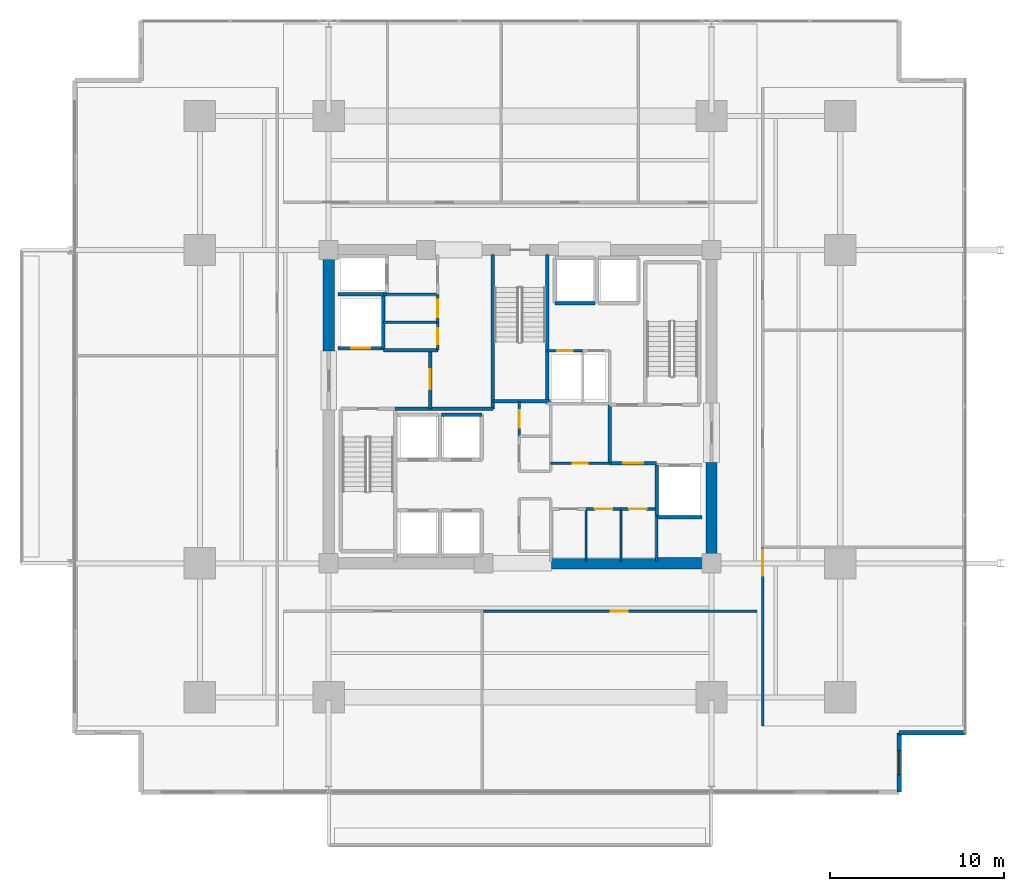
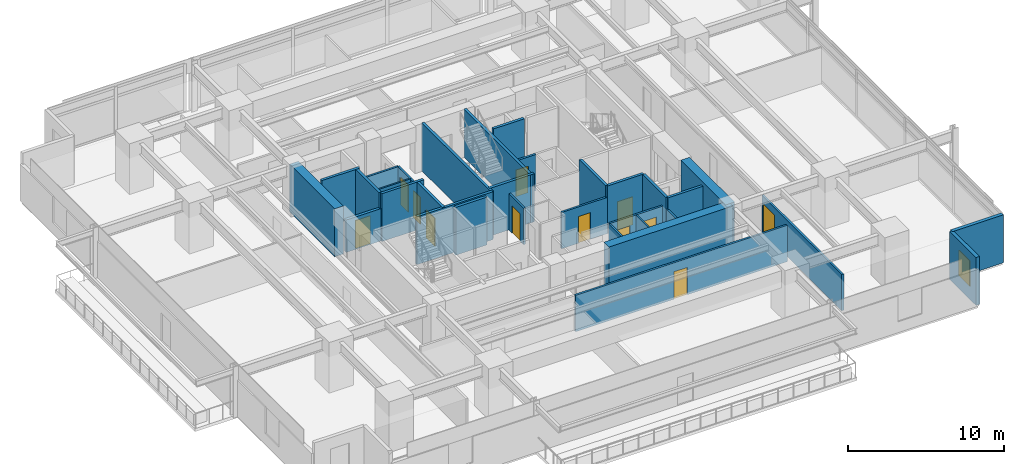
# One storey, part 15 of 22: 34 walls, 12 doors, 1 window, 13 openings.
"""IFC4 building model written with IfcOpenShell, lengths in metres."""

from ifc_helpers import new_model, si_unit, direction, frame, frame_2d, origin, place, context, subcontext, project, spatial, rectangle, extrude, material, layer, layer_set, type_object, element, fill, save


model = new_model("IFC4")

# Units and contexts
model_context = context("Model", 3, precision=1e-05, world=origin(), true_north=direction((0.0, 1.0)))
body_context = subcontext(model_context, "Body", "Model", "MODEL_VIEW")
ifc_project = project(units=[si_unit("LENGTHUNIT", "METRE"), si_unit("AREAUNIT", "SQUARE_METRE"), si_unit("VOLUMEUNIT", "CUBIC_METRE"), si_unit("PLANEANGLEUNIT", "RADIAN"), si_unit("MASSUNIT", "GRAM", prefix="KILO")], contexts=[model_context])

# Site, building, storey
site_placement = place(None, origin())
site = spatial("IfcSite", under=ifc_project, at=site_placement, CompositionType="ELEMENT")
building_placement = place(site_placement, origin())
building = spatial("IfcBuilding", under=site, at=building_placement, Name="Kovane Verandah Tower", CompositionType="ELEMENT")
storey_placement = place(building_placement, frame((0.0, 0.0, 51.60009765625)))
storey = spatial("IfcBuildingStorey", under=building, at=storey_placement, Name="L11", CompositionType="ELEMENT", Elevation=51.60009765625)

# Wall, opening, door
ifc_material_1 = material(Name="Fire-Rated Gypsum Stud Partition", Category="gypsum")
ifc_layer_1 = layer(ifc_material_1, 0.14990234375)
ifc_layer_set_1 = layer_set([ifc_layer_1], Name="Fire-Rated Gypsum Stud Partition")
wall_type_1 = type_object("IfcWallType", Name="WL-COR-150", PredefinedType="PARTITIONING", material=ifc_layer_set_1)
wall_1_placement = place(storey_placement, frame((39.949951171875, 25.800048828125, 0.0), z_axis=(0.0, 0.0, 1.0), x_axis=(0.0, 1.0, 0.0)))
wall_1 = element("IfcWall", 1, at=wall_1_placement, inside=storey, type_object=wall_type_1, Name="L11 Central First Aid and Wellness Room Partition", PredefinedType="PARTITIONING", context=body_context, shape_type="SweptSolid", body=[
    extrude(rectangle(XDim=2.0, YDim=0.14990234375, at=frame_2d((1.0, 0.0))), origin(), (0.0, 0.0, 1.0), 2.849853515625),
])
opening_1_placement = place(wall_1_placement, frame((0.5, 0.0, 0.0)))
opening_1 = element("IfcOpeningElement", 2, at=opening_1_placement, cuts=wall_1, Name="Opening DR-L11-028", PredefinedType="OPENING", context=body_context, shape_type="SweptSolid", body=[
    extrude(rectangle(XDim=1.0, YDim=2.14990234375, at=frame_2d((0.5, 1.074951171875))), frame((0.0, 0.074951171875, 0.0), z_axis=(0.0, -1.0, 0.0), x_axis=(1.0, 0.0, 0.0)), (0.0, 0.0, 1.0), 0.14990234375),
])
ifc_material_2 = material(Name="FSC Spotted-Gum Timber Fire-Rated Office Door", Category="wood")
door_type_1 = type_object("IfcDoorType", Name="DR-OFF-1000", OperationType="SINGLE_SWING_LEFT", PredefinedType="DOOR", material=ifc_material_2)
door_1_placement = place(opening_1_placement, origin())
door_1 = element("IfcDoor", 3, at=door_1_placement, inside=storey, type_object=door_type_1, Name="L11 Central First Aid and Wellness Room Door", OperationType="SINGLE_SWING_LEFT", OverallHeight=2.14990234375, OverallWidth=1.0, PredefinedType="DOOR", context=body_context, shape_type="SweptSolid", body=[
    extrude(rectangle(XDim=1.0, YDim=2.14990234375, at=frame_2d((0.5, 1.074951171875))), frame((0.0, 0.02490234375, 0.0), z_axis=(0.0, -1.0, 0.0), x_axis=(1.0, 0.0, 0.0)), (0.0, 0.0, 1.0), 0.050048828125),
])
fill(opening_1, door_1)

# Wall
wall_2_placement = place(storey_placement, frame((32.14990234375, 33.949951171875, 0.0), z_axis=(0.0, 0.0, 1.0), x_axis=(1.0, 0.0, 0.0)))
element("IfcWall", 4, at=wall_2_placement, inside=storey, type_object=wall_type_1, Name="L11 Goods Lift Lobby South Wall", PredefinedType="PARTITIONING", context=body_context, shape_type="SweptSolid", body=[
    extrude(rectangle(XDim=3.130126953125, YDim=0.14990234375, at=frame_2d((1.56494140625, 0.0))), origin(), (0.0, 0.0, 1.0), 2.849853515625),
])

# Wall, opening, door
wall_3_placement = place(storey_placement, frame((35.280029296875, 30.75, 0.0), z_axis=(0.0, 0.0, 1.0), x_axis=(0.0, 1.0, 0.0)))
wall_3 = element("IfcWall", 5, at=wall_3_placement, inside=storey, type_object=wall_type_1, Name="L11 Accessible Unisex Toilet Partition", PredefinedType="PARTITIONING", context=body_context, shape_type="SweptSolid", body=[
    extrude(rectangle(XDim=1.60009765625, YDim=0.14990234375, at=frame_2d((0.800048828125, 0.0))), origin(), (0.0, 0.0, 1.0), 2.849853515625),
])
opening_2_placement = place(wall_3_placement, frame((0.35009765625, 0.0, 0.0)))
opening_2 = element("IfcOpeningElement", 6, at=opening_2_placement, cuts=wall_3, Name="Opening DR-L11-029", PredefinedType="OPENING", context=body_context, shape_type="SweptSolid", body=[
    extrude(rectangle(XDim=0.89990234375, YDim=2.10009765625, at=frame_2d((0.449951171875, 1.050048828125))), frame((0.0, 0.074951171875, 0.0), z_axis=(0.0, -1.0, 0.0), x_axis=(1.0, 0.0, 0.0)), (0.0, 0.0, 1.0), 0.14990234375),
])
ifc_material_3 = material(Name="Moisture-Resistant Laminate Washroom Door", Category="wood")
door_type_2 = type_object("IfcDoorType", Name="DR-WC-900", OperationType="SINGLE_SWING_LEFT", PredefinedType="DOOR", material=ifc_material_3)
door_2_placement = place(opening_2_placement, origin())
door_2 = element("IfcDoor", 7, at=door_2_placement, inside=storey, type_object=door_type_2, Name="L11 Accessible Unisex Toilet Door", OperationType="SINGLE_SWING_LEFT", OverallHeight=2.10009765625, OverallWidth=0.89990234375, PredefinedType="DOOR", context=body_context, shape_type="SweptSolid", body=[
    extrude(rectangle(XDim=0.89990234375, YDim=2.10009765625, at=frame_2d((0.449951171875, 1.050048828125))), frame((0.0, 0.02490234375, 0.0), z_axis=(0.0, -1.0, 0.0), x_axis=(1.0, 0.0, 0.0)), (0.0, 0.0, 1.0), 0.050048828125),
])
fill(opening_2, door_2)

wall_4_placement = place(storey_placement, frame((35.280029296875, 32.35009765625, 0.0), z_axis=(0.0, 0.0, 1.0), x_axis=(0.0, 1.0, 0.0)))
wall_4 = element("IfcWall", 8, at=wall_4_placement, inside=storey, type_object=wall_type_1, Name="L11 North-West First Aid Room Partition", PredefinedType="PARTITIONING", context=body_context, shape_type="SweptSolid", body=[
    extrude(rectangle(XDim=1.599853515625, YDim=0.14990234375, at=frame_2d((0.7998046875, 0.0))), origin(), (0.0, 0.0, 1.0), 2.849853515625),
])
opening_3_placement = place(wall_4_placement, frame((0.300048828125, 0.0, 0.0)))
opening_3 = element("IfcOpeningElement", 9, at=opening_3_placement, cuts=wall_4, Name="Opening DR-L11-012", PredefinedType="OPENING", context=body_context, shape_type="SweptSolid", body=[
    extrude(rectangle(XDim=1.0, YDim=2.14990234375, at=frame_2d((0.5, 1.074951171875))), frame((0.0, 0.074951171875, 0.0), z_axis=(0.0, -1.0, 0.0), x_axis=(1.0, 0.0, 0.0)), (0.0, 0.0, 1.0), 0.14990234375),
])
door_3_placement = place(opening_3_placement, origin())
door_3 = element("IfcDoor", 10, at=door_3_placement, inside=storey, type_object=door_type_1, Name="L11 North-West First Aid Room Door", OperationType="SINGLE_SWING_RIGHT", OverallHeight=2.14990234375, OverallWidth=1.0, PredefinedType="DOOR", context=body_context, shape_type="SweptSolid", body=[
    extrude(rectangle(XDim=1.0, YDim=2.14990234375, at=frame_2d((0.5, 1.074951171875))), frame((0.0, 0.02490234375, 0.0), z_axis=(0.0, -1.0, 0.0), x_axis=(1.0, 0.0, 0.0)), (0.0, 0.0, 1.0), 0.050048828125),
])
fill(opening_3, door_3)

# Wall
wall_5_placement = place(storey_placement, frame((47.85009765625, 18.60009765625, 0.0), z_axis=(0.0, 0.0, 1.0), x_axis=(0.0, 1.0, 0.0)))
element("IfcWall", 11, at=wall_5_placement, inside=storey, type_object=wall_type_1, Name="L11 East Core Support East Wall", PredefinedType="PARTITIONING", context=body_context, shape_type="SweptSolid", body=[
    extrude(rectangle(XDim=2.539794921875, YDim=0.14990234375, at=frame_2d((1.27001953125, 0.0))), origin(), (0.0, 0.0, 1.0), 2.849853515625),
])

# Wall, opening, door
wall_6_placement = place(storey_placement, frame((43.800048828125, 21.6201171875, 0.0), z_axis=(0.0, 0.0, 1.0), x_axis=(1.0, 0.0, 0.0)))
wall_6 = element("IfcWall", 12, at=wall_6_placement, inside=storey, type_object=wall_type_1, Name="L11 First Aid Room Partition", PredefinedType="PARTITIONING", context=body_context, shape_type="SweptSolid", body=[
    extrude(rectangle(XDim=2.0, YDim=0.14990234375, at=frame_2d((1.0, 0.0))), origin(), (0.0, 0.0, 1.0), 2.849853515625),
])
opening_4_placement = place(wall_6_placement, frame((0.5, 0.0, 0.0)))
opening_4 = element("IfcOpeningElement", 13, at=opening_4_placement, cuts=wall_6, Name="Opening DR-L11-017", PredefinedType="OPENING", context=body_context, shape_type="SweptSolid", body=[
    extrude(rectangle(XDim=1.0, YDim=2.14990234375, at=frame_2d((0.5, 1.074951171875))), frame((0.0, 0.074951171875, 0.0), z_axis=(0.0, -1.0, 0.0), x_axis=(1.0, 0.0, 0.0)), (0.0, 0.0, 1.0), 0.14990234375),
])
door_4_placement = place(opening_4_placement, origin())
door_4 = element("IfcDoor", 14, at=door_4_placement, inside=storey, type_object=door_type_1, Name="L11 First Aid Room Door", OperationType="SINGLE_SWING_RIGHT", OverallHeight=2.14990234375, OverallWidth=1.0, PredefinedType="DOOR", context=body_context, shape_type="SweptSolid", body=[
    extrude(rectangle(XDim=1.0, YDim=2.14990234375, at=frame_2d((0.5, 1.074951171875))), frame((0.0, 0.02490234375, 0.0), z_axis=(0.0, -1.0, 0.0), x_axis=(1.0, 0.0, 0.0)), (0.0, 0.0, 1.0), 0.050048828125),
])
fill(opening_4, door_4)

wall_7_placement = place(storey_placement, frame((45.800048828125, 21.6201171875, 0.0), z_axis=(0.0, 0.0, 1.0), x_axis=(1.0, 0.0, 0.0)))
wall_7 = element("IfcWall", 15, at=wall_7_placement, inside=storey, type_object=wall_type_1, Name="L11 Quiet Wellness Room Partition", PredefinedType="PARTITIONING", context=body_context, shape_type="SweptSolid", body=[
    extrude(rectangle(XDim=1.93994140625, YDim=0.14990234375, at=frame_2d((0.969970703125, 0.0))), origin(), (0.0, 0.0, 1.0), 2.849853515625),
])
opening_5_placement = place(wall_7_placement, frame((0.469970703125, 0.0, 0.0)))
opening_5 = element("IfcOpeningElement", 16, at=opening_5_placement, cuts=wall_7, Name="Opening DR-L11-018", PredefinedType="OPENING", context=body_context, shape_type="SweptSolid", body=[
    extrude(rectangle(XDim=1.0, YDim=2.14990234375, at=frame_2d((0.5, 1.074951171875))), frame((0.0, 0.074951171875, 0.0), z_axis=(0.0, -1.0, 0.0), x_axis=(1.0, 0.0, 0.0)), (0.0, 0.0, 1.0), 0.14990234375),
])
door_5_placement = place(opening_5_placement, origin())
door_5 = element("IfcDoor", 17, at=door_5_placement, inside=storey, type_object=door_type_1, Name="L11 Quiet Wellness Room Door", OperationType="SINGLE_SWING_LEFT", OverallHeight=2.14990234375, OverallWidth=1.0, PredefinedType="DOOR", context=body_context, shape_type="SweptSolid", body=[
    extrude(rectangle(XDim=1.0, YDim=2.14990234375, at=frame_2d((0.5, 1.074951171875))), frame((0.0, 0.02490234375, 0.0), z_axis=(0.0, -1.0, 0.0), x_axis=(1.0, 0.0, 0.0)), (0.0, 0.0, 1.0), 0.050048828125),
])
fill(opening_5, door_5)

wall_8_placement = place(storey_placement, frame((41.760009765625, 24.25, 0.0), z_axis=(0.0, 0.0, 1.0), x_axis=(1.0, 0.0, 0.0)))
wall_8 = element("IfcWall", 18, at=wall_8_placement, inside=storey, type_object=wall_type_1, Name="L11 Supply Store Partition", PredefinedType="PARTITIONING", context=body_context, shape_type="SweptSolid", body=[
    extrude(rectangle(XDim=3.389892578125, YDim=0.14990234375, at=frame_2d((1.69482421875, 0.0))), origin(), (0.0, 0.0, 1.0), 2.849853515625),
])
opening_6_placement = place(wall_8_placement, frame((1.2548828125, 0.0, 0.0)))
opening_6 = element("IfcOpeningElement", 19, at=opening_6_placement, cuts=wall_8, Name="Opening DR-L11-019", PredefinedType="OPENING", context=body_context, shape_type="SweptSolid", body=[
    extrude(rectangle(XDim=0.8798828125, YDim=2.10009765625, at=frame_2d((0.43994140625, 1.050048828125))), frame((0.0, 0.074951171875, 0.0), z_axis=(0.0, -1.0, 0.0), x_axis=(1.0, 0.0, 0.0)), (0.0, 0.0, 1.0), 0.14990234375),
])
ifc_material_4 = material(Name="Fire-Rated Steel Riser Access Door", Category="steel")
door_type_3 = type_object("IfcDoorType", Name="DR-RISER-880", OperationType="SINGLE_SWING_LEFT", PredefinedType="DOOR", material=ifc_material_4)
door_6_placement = place(opening_6_placement, origin())
door_6 = element("IfcDoor", 20, at=door_6_placement, inside=storey, type_object=door_type_3, Name="L11 Supply Store Door", OperationType="SINGLE_SWING_RIGHT", OverallHeight=2.10009765625, OverallWidth=0.8798828125, PredefinedType="DOOR", context=body_context, shape_type="SweptSolid", body=[
    extrude(rectangle(XDim=0.8798828125, YDim=2.10009765625, at=frame_2d((0.43994140625, 1.050048828125))), frame((0.0, 0.02490234375, 0.0), z_axis=(0.0, -1.0, 0.0), x_axis=(1.0, 0.0, 0.0)), (0.0, 0.0, 1.0), 0.050048828125),
])
fill(opening_6, door_6)

wall_9_placement = place(storey_placement, frame((41.56005859375, 30.719970703125, 0.0), z_axis=(0.0, 0.0, 1.0), x_axis=(1.0, 0.0, 0.0)))
wall_9 = element("IfcWall", 21, at=wall_9_placement, inside=storey, type_object=wall_type_1, Name="L11 Electrical Sub-Main Riser Room Partition", PredefinedType="PARTITIONING", context=body_context, shape_type="SweptSolid", body=[
    extrude(rectangle(XDim=2.0400390625, YDim=0.14990234375, at=frame_2d((1.02001953125, 0.0))), origin(), (0.0, 0.0, 1.0), 2.849853515625),
])
opening_7_placement = place(wall_9_placement, frame((0.580078125, 0.0, 0.0)))
opening_7 = element("IfcOpeningElement", 22, at=opening_7_placement, cuts=wall_9, Name="Opening DR-L11-020", PredefinedType="OPENING", context=body_context, shape_type="SweptSolid", body=[
    extrude(rectangle(XDim=0.8798828125, YDim=2.10009765625, at=frame_2d((0.43994140625, 1.050048828125))), frame((0.0, 0.074951171875, 0.0), z_axis=(0.0, -1.0, 0.0), x_axis=(1.0, 0.0, 0.0)), (0.0, 0.0, 1.0), 0.14990234375),
])
door_7_placement = place(opening_7_placement, origin())
door_7 = element("IfcDoor", 23, at=door_7_placement, inside=storey, type_object=door_type_3, Name="L11 Electrical Sub-Main Riser Room Door", OperationType="SINGLE_SWING_LEFT", OverallHeight=2.10009765625, OverallWidth=0.8798828125, PredefinedType="DOOR", context=body_context, shape_type="SweptSolid", body=[
    extrude(rectangle(XDim=0.8798828125, YDim=2.10009765625, at=frame_2d((0.43994140625, 1.050048828125))), frame((0.0, 0.02490234375, 0.0), z_axis=(0.0, -1.0, 0.0), x_axis=(1.0, 0.0, 0.0)), (0.0, 0.0, 1.0), 0.050048828125),
])
fill(opening_7, door_7)

wall_10_placement = place(storey_placement, frame((37.89404296875, 15.75, 0.0), z_axis=(0.0, 0.0, 1.0), x_axis=(1.0, 0.0, 0.0)))
wall_10 = element("IfcWall", 24, at=wall_10_placement, inside=storey, type_object=wall_type_1, Name="L11 Document and Print Room S2 Corridor Partition", PredefinedType="PARTITIONING", context=body_context, shape_type="SweptSolid", body=[
    extrude(rectangle(XDim=15.7060546875, YDim=0.14990234375, at=frame_2d((7.85302734375, 0.0))), origin(), (0.0, 0.0, 1.0), 2.849853515625),
])
opening_8_placement = place(wall_10_placement, frame((7.302978515625, 0.0, 0.0)))
opening_8 = element("IfcOpeningElement", 25, at=opening_8_placement, cuts=wall_10, Name="Opening DR-L11-027", PredefinedType="OPENING", context=body_context, shape_type="SweptSolid", body=[
    extrude(rectangle(XDim=1.0, YDim=2.14990234375, at=frame_2d((0.5, 1.074951171875))), frame((0.0, 0.074951171875, 0.0), z_axis=(0.0, -1.0, 0.0), x_axis=(1.0, 0.0, 0.0)), (0.0, 0.0, 1.0), 0.14990234375),
])
door_8_placement = place(opening_8_placement, origin())
door_8 = element("IfcDoor", 26, at=door_8_placement, inside=storey, type_object=door_type_1, Name="L11 Document and Print Room S2 Entrance Door", OperationType="SINGLE_SWING_RIGHT", OverallHeight=2.14990234375, OverallWidth=1.0, PredefinedType="DOOR", context=body_context, shape_type="SweptSolid", body=[
    extrude(rectangle(XDim=1.0, YDim=2.14990234375, at=frame_2d((0.5, 1.074951171875))), frame((0.0, 0.02490234375, 0.0), z_axis=(0.0, -1.0, 0.0), x_axis=(1.0, 0.0, 0.0)), (0.0, 0.0, 1.0), 0.050048828125),
])
fill(opening_8, door_8)

wall_11_placement = place(storey_placement, frame((53.949951171875, 9.15380859375, 0.0), z_axis=(0.0, 0.0, 1.0), x_axis=(0.0, 1.0, 0.0)))
wall_11 = element("IfcWall", 27, at=wall_11_placement, inside=storey, type_object=wall_type_1, Name="L11 Client Boardroom E1 Corridor Partition", PredefinedType="PARTITIONING", context=body_context, shape_type="SweptSolid", body=[
    extrude(rectangle(XDim=10.27392578125, YDim=0.14990234375, at=frame_2d((5.136962890625, 0.0))), origin(), (0.0, 0.0, 1.0), 2.849853515625),
])
opening_9_placement = place(wall_11_placement, frame((8.6337890625, 0.0, 0.0)))
opening_9 = element("IfcOpeningElement", 28, at=opening_9_placement, cuts=wall_11, Name="Opening DR-L11-013", PredefinedType="OPENING", context=body_context, shape_type="SweptSolid", body=[
    extrude(rectangle(XDim=1.5, YDim=2.25, at=frame_2d((0.75, 1.125))), frame((0.0, 0.074951171875, 0.0), z_axis=(0.0, -1.0, 0.0), x_axis=(1.0, 0.0, 0.0)), (0.0, 0.0, 1.0), 0.14990234375),
])
ifc_material_5 = material(Name="Glazed Timber Fire-Rated Double Door", Category="wood")
door_type_4 = type_object("IfcDoorType", Name="DR-CONF-1500", OperationType="DOUBLE_DOOR_SINGLE_SWING", PredefinedType="DOOR", material=ifc_material_5)
door_9_placement = place(opening_9_placement, origin())
door_9 = element("IfcDoor", 29, at=door_9_placement, inside=storey, type_object=door_type_4, Name="L11 Client Boardroom E1 Entrance Door", OperationType="DOUBLE_DOOR_SINGLE_SWING", OverallHeight=2.25, OverallWidth=1.5, PredefinedType="DOOR", context=body_context, shape_type="SweptSolid", body=[
    extrude(rectangle(XDim=1.5, YDim=2.25, at=frame_2d((0.75, 1.125))), frame((0.0, 0.02490234375, 0.0), z_axis=(0.0, -1.0, 0.0), x_axis=(1.0, 0.0, 0.0)), (0.0, 0.0, 1.0), 0.050048828125),
])
fill(opening_9, door_9)

# Walls
ifc_material_6 = material(Name="Concrete C80/95", Category="concrete")
ifc_layer_2 = layer(ifc_material_6, 0.64990234375)
ifc_layer_set_2 = layer_set([ifc_layer_2], Name="Concrete C80/95")
wall_type_2 = type_object("IfcWallType", Name="WL-CORE-650", PredefinedType="SHEAR", material=ifc_layer_set_2)
wall_12_placement = place(storey_placement, frame((41.800048828125, 18.5, 0.0), z_axis=(0.0, 0.0, 1.0), x_axis=(1.0, 0.0, 0.0)))
element("IfcWall", 30, at=wall_12_placement, inside=storey, type_object=wall_type_2, Name="L11 Core Shear Wall CS-2", PredefinedType="SHEAR", context=body_context, shape_type="SweptSolid", body=[
    extrude(rectangle(XDim=9.199951171875, YDim=0.64990234375, at=frame_2d((4.60009765625, 0.0))), origin(), (0.0, 0.0, 1.0), 3.760009765625),
])
for number, where, z_axis, x_axis, name in (
    (31, (29.0, 30.699951171875, 0.0), (0.0, 0.0, 1.0), (0.0, 1.0, 0.0), "L11 Core Shear Wall CW-2"),
    (32, (51.0, 18.5, 0.0), (0.0, 0.0, 1.0), (0.0, 1.0, 0.0), "L11 Core Shear Wall CE-1"),
):
    element("IfcWall", number, at=place(storey_placement, frame(where, z_axis=z_axis, x_axis=x_axis)), inside=storey, type_object=wall_type_2, Name=name, PredefinedType="SHEAR", context=body_context, shape_type="SweptSolid", body=[
        extrude(rectangle(XDim=5.800048828125, YDim=0.64990234375, at=frame_2d((2.89990234375, 0.0))), origin(), (0.0, 0.0, 1.0), 3.760009765625),
    ])

# Wall, opening, door
ifc_material_7 = material(Name="Concrete C45/55 Fire Wall", Category="concrete")
ifc_layer_3 = layer(ifc_material_7, 0.199951171875)
ifc_layer_set_3 = layer_set([ifc_layer_3], Name="Concrete C45/55 Fire Wall")
wall_type_3 = type_object("IfcWallType", Name="WL-FFL-200", PredefinedType="PARTITIONING", material=ifc_layer_set_3)
wall_13_placement = place(storey_placement, frame((34.85009765625, 27.3798828125, 0.0), z_axis=(0.0, 0.0, 1.0), x_axis=(0.0, 1.0, 0.0)))
wall_13 = element("IfcWall", 33, at=wall_13_placement, inside=storey, type_object=wall_type_3, Name="W-L11-FFLW-E", PredefinedType="PARTITIONING", context=body_context, shape_type="SweptSolid", body=[
    extrude(rectangle(XDim=3.3701171875, YDim=0.199951171875, at=frame_2d((1.68505859375, 0.0))), origin(), (0.0, 0.0, 1.0), 3.760009765625),
])
opening_10_placement = place(wall_13_placement, frame((1.110107421875, 0.0, 0.0)))
opening_10 = element("IfcOpeningElement", 34, at=opening_10_placement, cuts=wall_13, Name="Opening DR-L11-006", PredefinedType="OPENING", context=body_context, shape_type="SweptSolid", body=[
    extrude(rectangle(XDim=1.14990234375, YDim=2.199951171875, at=frame_2d((0.574951171875, 1.10009765625))), frame((0.0, 0.10009765625, 0.0), z_axis=(0.0, -1.0, 0.0), x_axis=(1.0, 0.0, 0.0)), (0.0, 0.0, 1.0), 0.199951171875),
])
ifc_material_8 = material(Name="Smoke-Sealed Firefighting Lobby Door", Category="steel")
door_type_5 = type_object("IfcDoorType", Name="DR-FFL-1150", OperationType="SINGLE_SWING_LEFT", PredefinedType="DOOR", material=ifc_material_8)
door_10_placement = place(opening_10_placement, origin())
door_10 = element("IfcDoor", 35, at=door_10_placement, inside=storey, type_object=door_type_5, Name="L11 West Firefighting Lobby Inner Door", OperationType="SINGLE_SWING_LEFT", OverallHeight=2.199951171875, OverallWidth=1.14990234375, PredefinedType="DOOR", context=body_context, shape_type="SweptSolid", body=[
    extrude(rectangle(XDim=1.14990234375, YDim=2.199951171875, at=frame_2d((0.574951171875, 1.10009765625))), frame((0.0, 0.02490234375, 0.0), z_axis=(0.0, -1.0, 0.0), x_axis=(1.0, 0.0, 0.0)), (0.0, 0.0, 1.0), 0.050048828125),
])
fill(opening_10, door_10)

# Walls
wall_14_placement = place(storey_placement, frame((32.820068359375, 27.3798828125, 0.0), z_axis=(0.0, 0.0, 1.0), x_axis=(1.0, 0.0, 0.0)))
element("IfcWall", 36, at=wall_14_placement, inside=storey, type_object=wall_type_3, Name="L11 West Firefighting Lobby South Fire Wall", PredefinedType="PARTITIONING", context=body_context, shape_type="SweptSolid", body=[
    extrude(rectangle(XDim=5.619873046875, YDim=0.199951171875, at=frame_2d((2.81005859375, 0.0))), origin(), (0.0, 0.0, 1.0), 3.760009765625),
])
wall_15_placement = place(storey_placement, frame((32.14990234375, 30.75, 0.0), z_axis=(0.0, 0.0, 1.0), x_axis=(1.0, 0.0, 0.0)))
element("IfcWall", 37, at=wall_15_placement, inside=storey, type_object=wall_type_3, Name="L11 West Firefighting Lobby North Fire Wall", PredefinedType="PARTITIONING", context=body_context, shape_type="SweptSolid", body=[
    extrude(rectangle(XDim=3.130126953125, YDim=0.199951171875, at=frame_2d((1.56494140625, 0.0))), origin(), (0.0, 0.0, 1.0), 3.760009765625),
])
wall_16_placement = place(storey_placement, frame((45.14990234375, 24.25, 0.0), z_axis=(0.0, 0.0, 1.0), x_axis=(0.0, 1.0, 0.0)))
element("IfcWall", 38, at=wall_16_placement, inside=storey, type_object=wall_type_3, Name="L11 East Firefighting Lobby West Fire Wall", PredefinedType="PARTITIONING", context=body_context, shape_type="SweptSolid", body=[
    extrude(rectangle(XDim=3.3701171875, YDim=0.199951171875, at=frame_2d((1.68505859375, 0.0))), origin(), (0.0, 0.0, 1.0), 3.760009765625),
])

# Wall, opening, door
wall_17_placement = place(storey_placement, frame((45.14990234375, 24.25, 0.0), z_axis=(0.0, 0.0, 1.0), x_axis=(1.0, 0.0, 0.0)))
wall_17 = element("IfcWall", 39, at=wall_17_placement, inside=storey, type_object=wall_type_3, Name="W-L11-FFLE-S", PredefinedType="PARTITIONING", context=body_context, shape_type="SweptSolid", body=[
    extrude(rectangle(XDim=2.7001953125, YDim=0.199951171875, at=frame_2d((1.35009765625, 0.0))), origin(), (0.0, 0.0, 1.0), 3.760009765625),
])
opening_11_placement = place(wall_17_placement, frame((0.77490234375, 0.0, 0.0)))
opening_11 = element("IfcOpeningElement", 40, at=opening_11_placement, cuts=wall_17, Name="Opening DR-L11-003", PredefinedType="OPENING", context=body_context, shape_type="SweptSolid", body=[
    extrude(rectangle(XDim=1.14990234375, YDim=2.199951171875, at=frame_2d((0.574951171875, 1.10009765625))), frame((0.0, 0.10009765625, 0.0), z_axis=(0.0, -1.0, 0.0), x_axis=(1.0, 0.0, 0.0)), (0.0, 0.0, 1.0), 0.199951171875),
])
door_11_placement = place(opening_11_placement, origin())
door_11 = element("IfcDoor", 41, at=door_11_placement, inside=storey, type_object=door_type_5, Name="L11 East Firefighting Lobby Inner Door", OperationType="SINGLE_SWING_RIGHT", OverallHeight=2.199951171875, OverallWidth=1.14990234375, PredefinedType="DOOR", context=body_context, shape_type="SweptSolid", body=[
    extrude(rectangle(XDim=1.14990234375, YDim=2.199951171875, at=frame_2d((0.574951171875, 1.10009765625))), frame((0.0, 0.02490234375, 0.0), z_axis=(0.0, -1.0, 0.0), x_axis=(1.0, 0.0, 0.0)), (0.0, 0.0, 1.0), 0.050048828125),
])
fill(opening_11, door_11)

ifc_material_9 = material(Name="Concrete C45/55 Lift Shaft Wall", Category="concrete")
ifc_layer_4 = layer(ifc_material_9, 0.199951171875)
ifc_layer_set_4 = layer_set([ifc_layer_4], Name="Concrete C45/55 Lift Shaft Wall")
wall_type_4 = type_object("IfcWallType", Name="WL-LIFT-200", PredefinedType="SOLIDWALL", material=ifc_layer_set_4)
wall_18_placement = place(storey_placement, frame((29.550048828125, 30.85009765625, 0.0), z_axis=(0.0, 0.0, 1.0), x_axis=(1.0, 0.0, 0.0)))
wall_18 = element("IfcWall", 42, at=wall_18_placement, inside=storey, type_object=wall_type_4, Name="L11 Lift FL-01 S Shaft Wall", PredefinedType="SOLIDWALL", context=body_context, shape_type="SweptSolid", body=[
    extrude(rectangle(XDim=2.599853515625, YDim=0.199951171875, at=frame_2d((1.2998046875, 0.0))), origin(), (0.0, 0.0, 1.0), 2.539794921875),
])
opening_12_placement = place(wall_18_placement, frame((0.75, 0.0, 0.0)))
opening_12 = element("IfcOpeningElement", 43, at=opening_12_placement, cuts=wall_18, Name="Opening LD-L11-001", PredefinedType="OPENING", context=body_context, shape_type="SweptSolid", body=[
    extrude(rectangle(XDim=1.10009765625, YDim=2.199951171875, at=frame_2d((0.550048828125, 1.10009765625))), frame((0.0, 0.10009765625, 0.0), z_axis=(0.0, -1.0, 0.0), x_axis=(1.0, 0.0, 0.0)), (0.0, 0.0, 1.0), 0.199951171875),
])
ifc_material_10 = material(Name="Brushed Stainless Steel Sliding Lift Landing Door", Category="steel")
door_type_6 = type_object("IfcDoorType", Name="DR-LIFT-1100", OperationType="SLIDING_TO_RIGHT", PredefinedType="DOOR", material=ifc_material_10)
door_12_placement = place(opening_12_placement, origin())
door_12 = element("IfcDoor", 44, at=door_12_placement, inside=storey, type_object=door_type_6, Name="L11 Lift FL-01 Sliding Landing Door", OperationType="SLIDING_TO_RIGHT", OverallHeight=2.199951171875, OverallWidth=1.10009765625, PredefinedType="DOOR", context=body_context, shape_type="SweptSolid", body=[
    extrude(rectangle(XDim=1.10009765625, YDim=2.199951171875, at=frame_2d((0.550048828125, 1.10009765625))), frame((0.0, 0.02490234375, 0.0), z_axis=(0.0, -1.0, 0.0), x_axis=(1.0, 0.0, 0.0)), (0.0, 0.0, 1.0), 0.050048828125),
])
fill(opening_12, door_12)

# Walls
wall_19_placement = place(storey_placement, frame((29.550048828125, 33.949951171875, 0.0), z_axis=(0.0, 0.0, 1.0), x_axis=(1.0, 0.0, 0.0)))
element("IfcWall", 45, at=wall_19_placement, inside=storey, type_object=wall_type_4, Name="L11 Lift FL-01 and GL-01 Shared Shaft Wall", PredefinedType="SOLIDWALL", context=body_context, shape_type="SweptSolid", body=[
    extrude(rectangle(XDim=2.800048828125, YDim=0.199951171875, at=frame_2d((1.39990234375, 0.0))), origin(), (0.0, 0.0, 1.0), 3.760009765625),
])
wall_20_placement = place(storey_placement, frame((32.14990234375, 30.85009765625, 0.0), z_axis=(0.0, 0.0, 1.0), x_axis=(0.0, 1.0, 0.0)))
element("IfcWall", 46, at=wall_20_placement, inside=storey, type_object=wall_type_4, Name="L11 Lift FL-01 E Shaft Wall", PredefinedType="SOLIDWALL", context=body_context, shape_type="SweptSolid", body=[
    extrude(rectangle(XDim=3.0, YDim=0.199951171875, at=frame_2d((1.5, 0.0))), origin(), (0.0, 0.0, 1.0), 3.760009765625),
])
wall_21_placement = place(storey_placement, frame((47.85009765625, 21.14990234375, 0.0), z_axis=(0.0, 0.0, 1.0), x_axis=(1.0, 0.0, 0.0)))
element("IfcWall", 47, at=wall_21_placement, inside=storey, type_object=wall_type_4, Name="L11 Lift FL-02 S Shaft Wall", PredefinedType="SOLIDWALL", context=body_context, shape_type="SweptSolid", body=[
    extrude(rectangle(XDim=2.599853515625, YDim=0.199951171875, at=frame_2d((1.2998046875, 0.0))), origin(), (0.0, 0.0, 1.0), 3.760009765625),
])
wall_22_placement = place(storey_placement, frame((47.85009765625, 24.14990234375, 0.0), z_axis=(0.0, 0.0, 1.0), x_axis=(0.0, -1.0, 0.0)))
element("IfcWall", 48, at=wall_22_placement, inside=storey, type_object=wall_type_4, Name="L11 Lift FL-02 W Shaft Wall", PredefinedType="SOLIDWALL", context=body_context, shape_type="SweptSolid", body=[
    extrude(rectangle(XDim=3.0, YDim=0.199951171875, at=frame_2d((1.5, 0.0))), origin(), (0.0, 0.0, 1.0), 3.760009765625),
])
for number, where, z_axis, x_axis, name in (
    (49, (37.800048828125, 27.050048828125, 0.0), (0.0, 0.0, 1.0), (-1.0, 0.0, 0.0), "L11 Lift PL-L4 N Shaft Wall"),
    (50, (42.0, 33.449951171875, 0.0), (0.0, 0.0, 1.0), (1.0, 0.0, 0.0), "L11 Lift SL-01 S Shaft Wall"),
):
    element("IfcWall", number, at=place(storey_placement, frame(where, z_axis=z_axis, x_axis=x_axis)), inside=storey, type_object=wall_type_4, Name=name, PredefinedType="SOLIDWALL", context=body_context, shape_type="SweptSolid", body=[
        extrude(rectangle(XDim=2.300048828125, YDim=0.199951171875, at=frame_2d((1.14990234375, 0.0))), origin(), (0.0, 0.0, 1.0), 3.760009765625),
    ])
ifc_material_11 = material(Name="Acoustic Fire-Rated Gypsum Partition", Category="gypsum")
ifc_layer_5 = layer(ifc_material_11, 0.1201171875)
ifc_layer_set_5 = layer_set([ifc_layer_5], Name="Acoustic Fire-Rated Gypsum Partition")
wall_type_5 = type_object("IfcWallType", Name="WL-PART-120", PredefinedType="PARTITIONING", material=ifc_layer_set_5)
wall_23_placement = place(storey_placement, frame((32.14990234375, 32.35009765625, 0.0), z_axis=(0.0, 0.0, 1.0), x_axis=(1.0, 0.0, 0.0)))
element("IfcWall", 51, at=wall_23_placement, inside=storey, type_object=wall_type_5, Name="L11 Accessible Washroom and Support Dividing Partition", PredefinedType="PARTITIONING", context=body_context, shape_type="SweptSolid", body=[
    extrude(rectangle(XDim=3.130126953125, YDim=0.1201171875, at=frame_2d((1.56494140625, 0.0))), origin(), (0.0, 0.0, 1.0), 2.849853515625),
])
for number, where, z_axis, x_axis, name in (
    (52, (43.800048828125, 18.60009765625, 0.0), (0.0, 0.0, 1.0), (0.0, 1.0, 0.0), "L11 East Core Support Dividing Partition 1"),
    (53, (45.800048828125, 18.60009765625, 0.0), (0.0, 0.0, 1.0), (0.0, 1.0, 0.0), "L11 East Core Support Dividing Partition 2"),
):
    element("IfcWall", number, at=place(storey_placement, frame(where, z_axis=z_axis, x_axis=x_axis)), inside=storey, type_object=wall_type_5, Name=name, PredefinedType="PARTITIONING", context=body_context, shape_type="SweptSolid", body=[
        extrude(rectangle(XDim=3.02001953125, YDim=0.1201171875, at=frame_2d((1.510009765625, 0.0))), origin(), (0.0, 0.0, 1.0), 2.849853515625),
    ])
ifc_material_12 = material(Name="Concrete C45/55", Category="concrete")
ifc_layer_6 = layer(ifc_material_12, 0.199951171875)
ifc_layer_set_6 = layer_set([ifc_layer_6], Name="Concrete C45/55")
wall_type_6 = type_object("IfcWallType", Name="WL-SHAFT-200", PredefinedType="SOLIDWALL", material=ifc_layer_set_6)
wall_24_placement = place(storey_placement, frame((38.43994140625, 27.3798828125, 0.0), z_axis=(0.0, 0.0, 1.0), x_axis=(0.0, 1.0, 0.0)))
element("IfcWall", 54, at=wall_24_placement, inside=storey, type_object=wall_type_6, Name="W-L11-ST03-W", PredefinedType="SOLIDWALL", context=body_context, shape_type="SweptSolid", body=[
    extrude(rectangle(XDim=8.8701171875, YDim=0.199951171875, at=frame_2d((4.43505859375, 0.0))), origin(), (0.0, 0.0, 1.0), 3.760009765625),
])
wall_25_placement = place(storey_placement, frame((41.56005859375, 27.679931640625, 0.0), z_axis=(0.0, 0.0, 1.0), x_axis=(0.0, 1.0, 0.0)))
element("IfcWall", 55, at=wall_25_placement, inside=storey, type_object=wall_type_6, Name="W-L11-ST03-E", PredefinedType="SOLIDWALL", context=body_context, shape_type="SweptSolid", body=[
    extrude(rectangle(XDim=8.570068359375, YDim=0.199951171875, at=frame_2d((4.28515625, 0.0))), origin(), (0.0, 0.0, 1.0), 3.760009765625),
])
wall_26_placement = place(storey_placement, frame((38.43994140625, 27.800048828125, 0.0), z_axis=(0.0, 0.0, 1.0), x_axis=(1.0, 0.0, 0.0)))
element("IfcWall", 56, at=wall_26_placement, inside=storey, type_object=wall_type_6, Name="W-L11-ST03-S", PredefinedType="SOLIDWALL", context=body_context, shape_type="SweptSolid", body=[
    extrude(rectangle(XDim=3.320068359375, YDim=0.199951171875, at=frame_2d((1.66015625, 0.0))), origin(), (0.0, 0.0, 1.0), 3.760009765625),
])

# Wall, opening, window
ifc_material_13 = material(Name="Concrete C45/55 Insulated Spandrel Wall", Category="concrete")
ifc_layer_7 = layer(ifc_material_13, 0.260009765625)
ifc_layer_set_7 = layer_set([ifc_layer_7], Name="Concrete C45/55 Insulated Spandrel Wall")
wall_type_7 = type_object("IfcWallType", Name="WL-SPANDREL-260", PredefinedType="PARAPET", material=ifc_layer_set_7)
wall_27_placement = place(storey_placement, frame((61.7802734375, 5.353759765625, 0.0), z_axis=(0.0, 0.0, 1.0), x_axis=(0.0, 1.0, 0.0)))
wall_27 = element("IfcWall", 57, at=wall_27_placement, inside=storey, type_object=wall_type_7, Name="L11 SE Notch Cheek Wall 1", PredefinedType="PARAPET", context=body_context, shape_type="SweptSolid", body=[
    extrude(rectangle(XDim=3.400146484375, YDim=0.260009765625, at=frame_2d((1.7001953125, 0.0))), origin(), (0.0, 0.0, 1.0), 3.760009765625),
])
opening_13_placement = place(wall_27_placement, frame((1.0, 0.0, 0.85009765625)))
opening_13 = element("IfcOpeningElement", 58, at=opening_13_placement, cuts=wall_27, Name="Opening W-01", PredefinedType="OPENING", context=body_context, shape_type="SweptSolid", body=[
    extrude(rectangle(XDim=1.39990234375, YDim=2.0, at=frame_2d((0.699951171875, 1.0))), frame((0.0, 0.1298828125, 0.0), z_axis=(0.0, -1.0, 0.0), x_axis=(1.0, 0.0, 0.0)), (0.0, 0.0, 1.0), 0.260009765625),
])
ifc_material_14 = material(Name="Clear Low-E Laminated Double Glazing in Anodised Frame", Category="glass")
window_type = type_object("IfcWindowType", Name="WN-OPER-1400x2000", PartitioningType="SINGLE_PANEL", PredefinedType="WINDOW", material=ifc_material_14)
window_placement = place(opening_13_placement, origin())
window = element("IfcWindow", 59, at=window_placement, inside=storey, type_object=window_type, Name="L11 SE Re-Entrant Corner Operable Window", OverallHeight=2.0, OverallWidth=1.39990234375, PartitioningType="SINGLE_PANEL", PredefinedType="WINDOW", context=body_context, shape_type="SweptSolid", body=[
    extrude(rectangle(XDim=1.39990234375, YDim=2.0, at=frame_2d((0.699951171875, 1.0))), frame((0.0, 0.030029296875, 0.0), z_axis=(0.0, -1.0, 0.0), x_axis=(1.0, 0.0, 0.0)), (0.0, 0.0, 1.0), 0.06005859375),
])
fill(opening_13, window)

# Wall
wall_28_placement = place(storey_placement, frame((61.7802734375, 8.75390625, 0.0), z_axis=(0.0, 0.0, 1.0), x_axis=(1.0, 0.0, 0.0)))
element("IfcWall", 60, at=wall_28_placement, inside=storey, type_object=wall_type_7, Name="L11 SE Notch Cheek Wall 2", PredefinedType="PARAPET", context=body_context, shape_type="SweptSolid", body=[
    extrude(rectangle(XDim=3.800048828125, YDim=0.260009765625, at=frame_2d((1.89990234375, 0.0))), origin(), (0.0, 0.0, 1.0), 3.760009765625),
])

save(model, "model.ifc")
